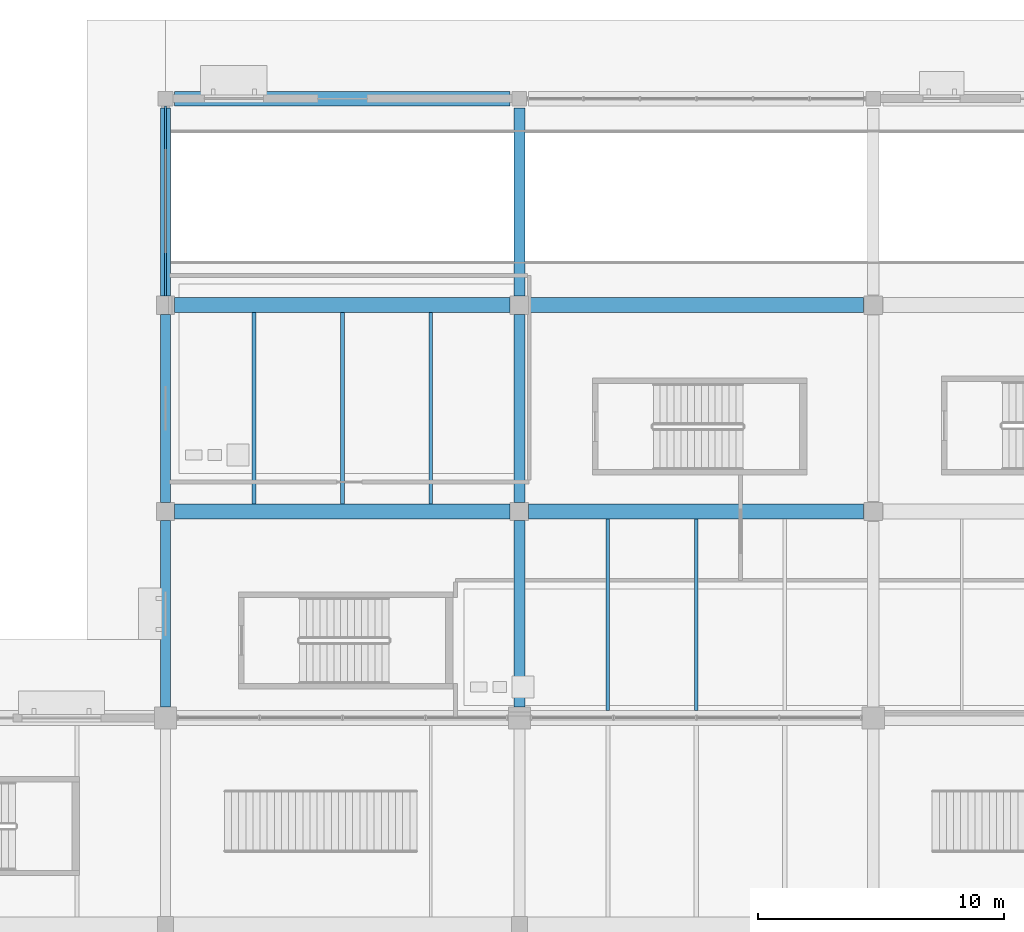
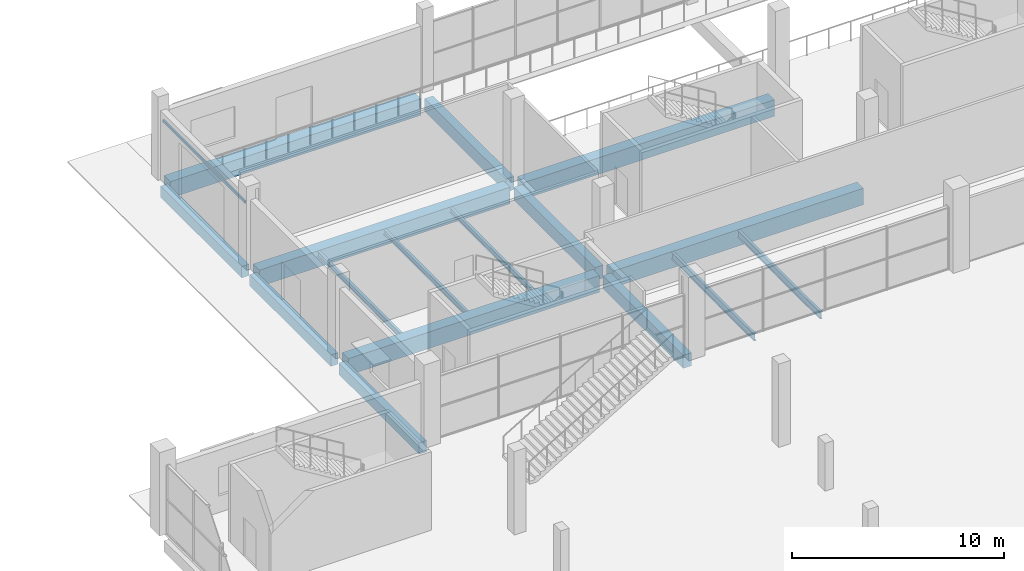
# One storey, part 44 of 130: 17 beams.
"""IFC4 building model written with IfcOpenShell, lengths in metres."""

from ifc_helpers import new_model, si_unit, direction, frame, origin, origin_2d, place, context, subcontext, project, spatial, rectangle, hollow_rectangle, i_section, extrude, material, material_profile, profile_set, type_object, element, save


model = new_model("IFC4")

# Units and contexts
model_context = context("Model", 3, precision=1e-05, world=origin(), true_north=direction((0.0, 1.0)))
body_context = subcontext(model_context, "Body", "Model", "MODEL_VIEW")
ifc_project = project(units=[si_unit("LENGTHUNIT", "METRE"), si_unit("AREAUNIT", "SQUARE_METRE"), si_unit("VOLUMEUNIT", "CUBIC_METRE"), si_unit("PLANEANGLEUNIT", "RADIAN"), si_unit("MASSUNIT", "GRAM", prefix="KILO"), si_unit("THERMODYNAMICTEMPERATUREUNIT", "KELVIN")], contexts=[model_context])

# Site, building, storey
site_placement = place(None, origin())
site = spatial("IfcSite", under=ifc_project, at=site_placement, CompositionType="ELEMENT")
building_placement = place(site_placement, origin())
building = spatial("IfcBuilding", under=site, at=building_placement, Name="Nduvali Passage Aquatics Centre", CompositionType="ELEMENT")
storey_placement = place(building_placement, origin())
storey = spatial("IfcBuildingStorey", under=building, at=storey_placement, Name="L00", CompositionType="ELEMENT", Elevation=0.0)

# Beams
ifc_material_1 = material(Name="Concrete C40/50", Category="concrete")
ifc_material_profile_1 = material_profile(ifc_material_1, rectangle(XDim=0.449951171875, YDim=0.75, at=origin_2d()), Name="RC 450x750")
ifc_profile_set_1 = profile_set([ifc_material_profile_1], Name="Concrete C40/50")
beam_type_1 = type_object("IfcBeamType", Name="STR-BM-RC4575", PredefinedType="BEAM", material=ifc_profile_set_1)
beam_1_placement = place(storey_placement, frame((54.0, 92.85009765625, -0.675048828125), z_axis=(0.0, 1.0, 0.0), x_axis=(-1.0, 0.0, 0.0)))
element("IfcBeam", 1, at=beam_1_placement, inside=storey, type_object=beam_type_1, Name="L00 Primary Y-Girder B3-0148", PredefinedType="BEAM", context=body_context, shape_type="SweptSolid", body=[
    extrude(rectangle(XDim=0.449951171875, YDim=0.75, at=origin_2d()), origin(), (0.0, 0.0, 1.0), 7.574951171875),
])
beam_2_placement = place(storey_placement, frame((54.0, 101.175048828125, -0.675048828125), z_axis=(0.0, 1.0, 0.0), x_axis=(-1.0, 0.0, 0.0)))
element("IfcBeam", 2, at=beam_2_placement, inside=storey, type_object=beam_type_1, Name="L00 Primary Y-Girder B3-0149", PredefinedType="BEAM", context=body_context, shape_type="SweptSolid", body=[
    extrude(rectangle(XDim=0.449951171875, YDim=0.75, at=origin_2d()), origin(), (0.0, 0.0, 1.0), 7.64990234375),
])
beam_3_placement = place(storey_placement, frame((54.0, 109.574951171875, -0.675048828125), z_axis=(0.0, 1.0, 0.0), x_axis=(-1.0, 0.0, 0.0)))
element("IfcBeam", 3, at=beam_3_placement, inside=storey, type_object=beam_type_1, Name="L00 Primary Y-Girder B3-0150", PredefinedType="BEAM", context=body_context, shape_type="SweptSolid", body=[
    extrude(rectangle(XDim=0.449951171875, YDim=0.75, at=origin_2d()), origin(), (0.0, 0.0, 1.0), 7.650146484375),
])
ifc_material_profile_2 = material_profile(ifc_material_1, rectangle(XDim=0.60009765625, YDim=0.949951171875, at=origin_2d()), Name="RC 600x950")
ifc_profile_set_2 = profile_set([ifc_material_profile_2], Name="Concrete C40/50")
beam_type_2 = type_object("IfcBeamType", Name="STR-BM-RC6095", PredefinedType="BEAM", material=ifc_profile_set_2)
beam_4_placement = place(storey_placement, frame((39.97509765625, 100.800048828125, -0.77490234375), z_axis=(1.0, 0.0, 0.0), x_axis=(0.0, 1.0, 0.0)))
element("IfcBeam", 4, at=beam_4_placement, inside=storey, type_object=beam_type_2, Name="L00 Primary X-Girder B1-0095", PredefinedType="BEAM", context=body_context, shape_type="SweptSolid", body=[
    extrude(rectangle(XDim=0.60009765625, YDim=0.949951171875, at=origin_2d()), origin(), (0.0, 0.0, 1.0), 13.64990234375),
])
beam_5_placement = place(storey_placement, frame((54.375, 100.800048828125, -0.77490234375), z_axis=(1.0, 0.0, 0.0), x_axis=(0.0, 1.0, 0.0)))
element("IfcBeam", 5, at=beam_5_placement, inside=storey, type_object=beam_type_2, Name="L00 Primary X-Girder B1-0096", PredefinedType="BEAM", context=body_context, shape_type="SweptSolid", body=[
    extrude(rectangle(XDim=0.60009765625, YDim=0.949951171875, at=origin_2d()), origin(), (0.0, 0.0, 1.0), 13.625),
])
beam_6_placement = place(storey_placement, frame((39.97509765625, 109.199951171875, -0.77490234375), z_axis=(1.0, 0.0, 0.0), x_axis=(0.0, 1.0, 0.0)))
element("IfcBeam", 6, at=beam_6_placement, inside=storey, type_object=beam_type_2, Name="L00 Primary X-Girder B1-0101", PredefinedType="BEAM", context=body_context, shape_type="SweptSolid", body=[
    extrude(rectangle(XDim=0.60009765625, YDim=0.949951171875, at=origin_2d()), origin(), (0.0, 0.0, 1.0), 13.64990234375),
])
beam_7_placement = place(storey_placement, frame((54.375, 109.199951171875, -0.77490234375), z_axis=(1.0, 0.0, 0.0), x_axis=(0.0, 1.0, 0.0)))
element("IfcBeam", 7, at=beam_7_placement, inside=storey, type_object=beam_type_2, Name="L00 Primary X-Girder B1-0102", PredefinedType="BEAM", context=body_context, shape_type="SweptSolid", body=[
    extrude(rectangle(XDim=0.60009765625, YDim=0.949951171875, at=origin_2d()), origin(), (0.0, 0.0, 1.0), 13.625),
])
ifc_material_profile_3 = material_profile(ifc_material_1, rectangle(XDim=0.60009765625, YDim=0.949951171875, at=origin_2d()), Name="RC 600x950")
ifc_profile_set_3 = profile_set([ifc_material_profile_3], Name="Concrete C40/50")
beam_type_3 = type_object("IfcBeamType", Name="STR-BM-RC6095-EXT", PredefinedType="BEAM", material=ifc_profile_set_3)
beam_8_placement = place(storey_placement, frame((39.97509765625, 117.60009765625, -0.77490234375), z_axis=(1.0, 0.0, 0.0), x_axis=(0.0, 1.0, 0.0)))
element("IfcBeam", 8, at=beam_8_placement, inside=storey, type_object=beam_type_3, Name="L00 Primary X-Girder B1E-0107", PredefinedType="BEAM", context=body_context, shape_type="SweptSolid", body=[
    extrude(rectangle(XDim=0.60009765625, YDim=0.949951171875, at=origin_2d()), origin(), (0.0, 0.0, 1.0), 13.64990234375),
])
ifc_material_2 = material(Name="Steel S355", Category="steel")
ifc_material_profile_4 = material_profile(ifc_material_2, i_section(OverallWidth=0.14990234375, OverallDepth=0.300048828125, WebThickness=0.007080078125, FlangeThickness=0.0107421875, FilletRadius=0.014892578125, at=origin_2d()), Name="IPE 300")
ifc_profile_set_4 = profile_set([ifc_material_profile_4], Name="Steel S355")
beam_type_4 = type_object("IfcBeamType", Name="STR-JST-IPE300", PredefinedType="JOIST", material=ifc_profile_set_4)
for number, where, z_axis, x_axis, name in (
    (9, (43.199951171875, 101.10009765625, -0.4541015625), (0.0, 1.0, 0.0), (-1.0, 0.0, 0.0), "L00 Secondary Joist J7-0411"),
    (10, (46.800048828125, 101.10009765625, -0.4541015625), (0.0, 1.0, 0.0), (-1.0, 0.0, 0.0), "L00 Secondary Joist J7-0412"),
    (11, (50.39990234375, 101.10009765625, -0.4541015625), (0.0, 1.0, 0.0), (-1.0, 0.0, 0.0), "L00 Secondary Joist J7-0413"),
):
    element("IfcBeam", number, at=place(storey_placement, frame(where, z_axis=z_axis, x_axis=x_axis)), inside=storey, type_object=beam_type_4, Name=name, PredefinedType="JOIST", context=body_context, shape_type="SweptSolid", body=[
        extrude(i_section(OverallWidth=0.14990234375, OverallDepth=0.300048828125, WebThickness=0.007080078125, FlangeThickness=0.0107421875, FilletRadius=0.014892578125, at=origin_2d()), origin(), (0.0, 0.0, 1.0), 7.7998046875),
    ])
ifc_material_profile_5 = material_profile(ifc_material_2, i_section(OverallWidth=0.14208984375, OverallDepth=0.4033203125, WebThickness=0.0068359375, FlangeThickness=0.01123046875, FilletRadius=0.01025390625, at=origin_2d()), Name="UKB 406x140x46")
ifc_profile_set_5 = profile_set([ifc_material_profile_5], Name="Steel S355")
beam_type_5 = type_object("IfcBeamType", Name="STR-JST-UKB406L", PredefinedType="JOIST", material=ifc_profile_set_5)
for number, where, z_axis, x_axis, name in (
    (12, (57.60009765625, 92.699951171875, -0.505615234375), (0.0, 1.0, 0.0), (-1.0, 0.0, 0.0), "L00 Secondary Joist J1B-0396"),
    (13, (61.199951171875, 92.699951171875, -0.505615234375), (0.0, 1.0, 0.0), (-1.0, 0.0, 0.0), "L00 Secondary Joist J1B-0397"),
):
    element("IfcBeam", number, at=place(storey_placement, frame(where, z_axis=z_axis, x_axis=x_axis)), inside=storey, type_object=beam_type_5, Name=name, PredefinedType="JOIST", context=body_context, shape_type="SweptSolid", body=[
        extrude(i_section(OverallWidth=0.14208984375, OverallDepth=0.4033203125, WebThickness=0.0068359375, FlangeThickness=0.01123046875, FilletRadius=0.01025390625, at=origin_2d()), origin(), (0.0, 0.0, 1.0), 7.800048828125),
    ])
ifc_material_profile_6 = material_profile(ifc_material_2, hollow_rectangle(XDim=0.080078125, YDim=0.159912109375, WallThickness=0.0048828125, at=origin_2d()), Name="RHS 160x80x5.0")
ifc_profile_set_6 = profile_set([ifc_material_profile_6], Name="Steel S355")
beam_type_6 = type_object("IfcBeamType", Name="STR-LNT-RHS160-EXT", PredefinedType="LINTEL", material=ifc_profile_set_6)
beam_9_placement = place(storey_placement, frame((39.60009765625, 109.574951171875, 3.35009765625), z_axis=(0.0, 1.0, 0.0), x_axis=(-1.0, 0.0, 0.0)))
element("IfcBeam", 14, at=beam_9_placement, inside=storey, type_object=beam_type_6, Name="Vehicle Ramp Shutter Portal Lintel", PredefinedType="LINTEL", context=body_context, shape_type="SweptSolid", body=[
    extrude(hollow_rectangle(XDim=0.080078125, YDim=0.159912109375, WallThickness=0.0048828125, at=origin_2d()), origin(), (0.0, 0.0, 1.0), 7.72509765625),
])
ifc_material_profile_7 = material_profile(ifc_material_1, rectangle(XDim=0.39990234375, YDim=0.64990234375, at=origin_2d()), Name="RC 400x650")
ifc_profile_set_7 = profile_set([ifc_material_profile_7], Name="Concrete C40/50")
beam_type_7 = type_object("IfcBeamType", Name="STR-SPN-RC4065-EXT", PredefinedType="SPANDREL", material=ifc_profile_set_7)
beam_10_placement = place(storey_placement, frame((39.60009765625, 92.85009765625, -0.625), z_axis=(0.0, 1.0, 0.0), x_axis=(-1.0, 0.0, 0.0)))
element("IfcBeam", 15, at=beam_10_placement, inside=storey, type_object=beam_type_7, Name="L00 Primary Y-Girder SP1E-0138", PredefinedType="SPANDREL", context=body_context, shape_type="SweptSolid", body=[
    extrude(rectangle(XDim=0.39990234375, YDim=0.64990234375, at=origin_2d()), origin(), (0.0, 0.0, 1.0), 7.574951171875),
])
beam_11_placement = place(storey_placement, frame((39.60009765625, 101.175048828125, -0.625), z_axis=(0.0, 1.0, 0.0), x_axis=(-1.0, 0.0, 0.0)))
element("IfcBeam", 16, at=beam_11_placement, inside=storey, type_object=beam_type_7, Name="L00 Primary Y-Girder SP1E-0139", PredefinedType="SPANDREL", context=body_context, shape_type="SweptSolid", body=[
    extrude(rectangle(XDim=0.39990234375, YDim=0.64990234375, at=origin_2d()), origin(), (0.0, 0.0, 1.0), 7.64990234375),
])
beam_12_placement = place(storey_placement, frame((39.60009765625, 109.574951171875, -0.625), z_axis=(0.0, 1.0, 0.0), x_axis=(-1.0, 0.0, 0.0)))
element("IfcBeam", 17, at=beam_12_placement, inside=storey, type_object=beam_type_7, Name="L00 Primary Y-Girder SP1E-0140", PredefinedType="SPANDREL", context=body_context, shape_type="SweptSolid", body=[
    extrude(rectangle(XDim=0.39990234375, YDim=0.64990234375, at=origin_2d()), origin(), (0.0, 0.0, 1.0), 7.650146484375),
])

save(model, "model.ifc")
